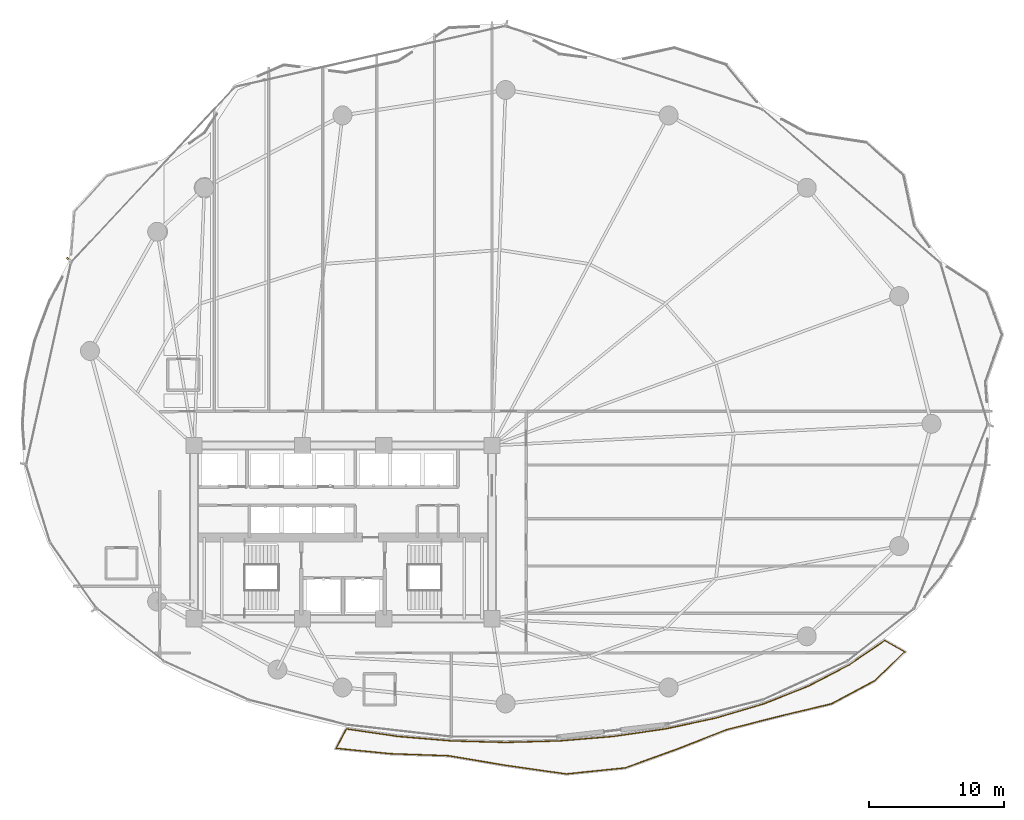
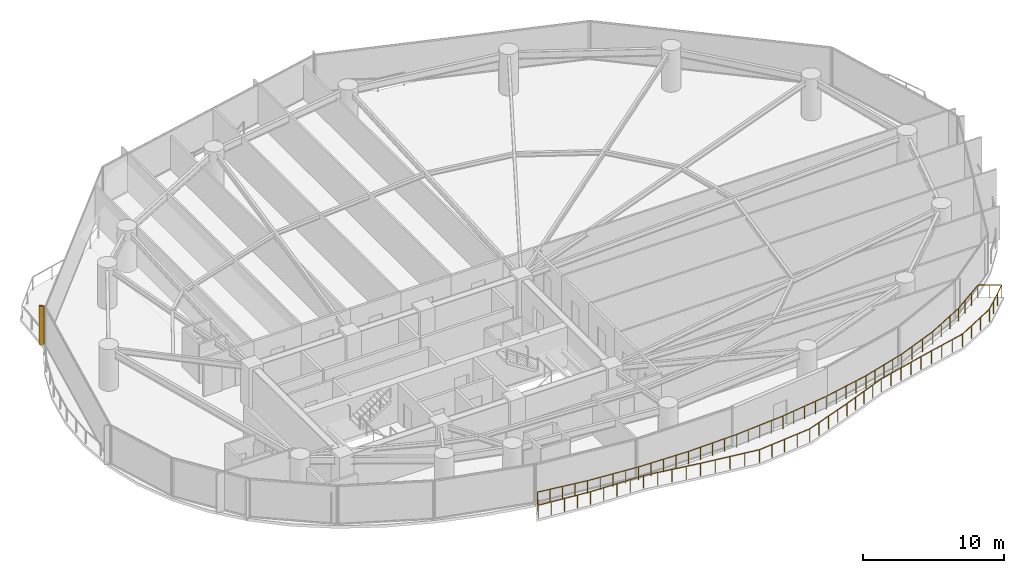
# One storey, part 31 of 33: 1 railing, 1 shading device.
"""IFC4 building model written with IfcOpenShell, lengths in metres."""

from ifc_helpers import new_model, si_unit, direction, frame, origin, origin_2d, place, context, subcontext, project, spatial, rectangle, extrude, material, type_object, element, save


model = new_model("IFC4")

# Units and contexts
model_context = context("Model", 3, precision=1e-05, world=origin(), true_north=direction((0.0, 1.0)))
body_context = subcontext(model_context, "Body", "Model", "MODEL_VIEW")
ifc_project = project(units=[si_unit("LENGTHUNIT", "METRE"), si_unit("AREAUNIT", "SQUARE_METRE"), si_unit("VOLUMEUNIT", "CUBIC_METRE"), si_unit("PLANEANGLEUNIT", "RADIAN"), si_unit("MASSUNIT", "GRAM", prefix="KILO")], contexts=[model_context])

# Site, building, storey
site_placement = place(None, origin())
site = spatial("IfcSite", under=ifc_project, at=site_placement, CompositionType="ELEMENT")
building_placement = place(site_placement, origin())
building = spatial("IfcBuilding", under=site, at=building_placement, Name="Kazevale Care Tower and Concert Hall", CompositionType="ELEMENT")
storey_placement = place(building_placement, frame((0.0, 0.0, 31.199951171875)))
storey = spatial("IfcBuildingStorey", under=building, at=storey_placement, Name="L07", CompositionType="ELEMENT", Elevation=31.199951171875)

# Railing
ifc_material_1 = material(Name="Anodised Bronze Aluminium and Laminated Glass", Category="aluminium")
railing_type = type_object("IfcRailingType", Name="Balcony and Terrace Balustrade 1120", PredefinedType="BALUSTRADE", material=ifc_material_1)
railing_placement = place(storey_placement, frame((33.239990234375, 15.469970703125, 0.0)))
element("IfcRailing", 1, at=railing_placement, inside=storey, type_object=railing_type, Name="rail:L07:balcony", PredefinedType="BALUSTRADE", context=body_context, shape_type="SweptSolid", body=[
    extrude(rectangle(XDim=0.048095703125, YDim=0.048095703125, at=origin_2d()), frame((0.0, 0.0, 1.09619140625), z_axis=(0.98954153526, -0.144248223541, 0.0), x_axis=(0.144248223541, 0.98954153526, 0.0)), (0.0, 0.0, 1.0), 3.820068359375),
    extrude(rectangle(XDim=0.048095703125, YDim=0.048095703125, at=origin_2d()), frame((3.780029296875, -0.551025390625, 1.09619140625), z_axis=(0.996491809711, -0.083690341016, 0.0), x_axis=(0.083690341016, 0.996491809711, 0.0)), (0.0, 0.0, 1.0), 3.97900390625),
    extrude(rectangle(XDim=0.048095703125, YDim=0.048095703125, at=origin_2d()), frame((7.7451171875, -0.884033203125, 1.09619140625), z_axis=(0.999619139625, -0.027596660954, 0.0), x_axis=(0.027596660954, 0.999619139625, 0.0)), (0.0, 0.0, 1.0), 4.016357421875),
    extrude(rectangle(XDim=0.048095703125, YDim=0.048095703125, at=origin_2d()), frame((11.760009765625, -0.994873046875, 1.09619140625), z_axis=(0.999619139625, 0.027596660954, 0.0), x_axis=(-0.027596660954, 0.999619139625, 0.0)), (0.0, 0.0, 1.0), 4.016357421875),
    extrude(rectangle(XDim=0.048095703125, YDim=0.048095703125, at=origin_2d()), frame((15.77490234375, -0.884033203125, 1.09619140625), z_axis=(0.996491809711, 0.083690341016, 0.0), x_axis=(-0.083690341016, 0.996491809711, 0.0)), (0.0, 0.0, 1.0), 3.97900390625),
    extrude(rectangle(XDim=0.048095703125, YDim=0.048095703125, at=origin_2d()), frame((19.739990234375, -0.551025390625, 1.09619140625), z_axis=(0.989562148583, 0.144106745477, 0.0), x_axis=(-0.144106745477, 0.989562148583, 0.0)), (0.0, 0.0, 1.0), 3.90673828125),
    extrude(rectangle(XDim=0.048095703125, YDim=0.048095703125, at=origin_2d()), frame((23.60595703125, 0.011962890625, 1.09619140625), z_axis=(0.977622623243, 0.210366362622, 0.0), x_axis=(-0.210366362622, 0.977622623243, 0.0)), (0.0, 0.0, 1.0), 3.80322265625),
    extrude(rectangle(XDim=0.048095703125, YDim=0.048095703125, at=origin_2d()), frame((27.323974609375, 0.81201171875, 1.09619140625), z_axis=(0.958576059845, 0.28483668565, 0.0), x_axis=(-0.28483668565, 0.958576059845, 0.0)), (0.0, 0.0, 1.0), 3.67626953125),
    extrude(rectangle(XDim=0.048095703125, YDim=0.048095703125, at=origin_2d()), frame((30.847900390625, 1.859130859375, 1.09619140625), z_axis=(0.929364745906, 0.369162794803, 0.0), x_axis=(-0.369162794803, 0.929364745906, 0.0)), (0.0, 0.0, 1.0), 3.534912109375),
    extrude(rectangle(XDim=0.048095703125, YDim=0.048095703125, at=origin_2d()), frame((34.133056640625, 3.1640625, 1.09619140625), z_axis=(0.886249621896, 0.463207952965, 0.0), x_axis=(-0.463207952965, 0.886249621896, 0.0)), (0.0, 0.0, 1.0), 3.3916015625),
    extrude(rectangle(XDim=0.048095703125, YDim=0.048095703125, at=origin_2d()), frame((37.138916015625, 4.735107421875, 1.09619140625), z_axis=(0.825224295989, 0.564805153402, 0.0), x_axis=(-0.564805153402, 0.825224295989, 0.0)), (0.0, 0.0, 1.0), 3.17626953125),
    extrude(rectangle(XDim=0.048095703125, YDim=0.048095703125, at=origin_2d()), frame((39.760009765625, 6.529052734375, 1.09619140625), z_axis=(0.870189180508, -0.492717759094, 0.0), x_axis=(0.492717759094, 0.870189180508, 0.0)), (0.0, 0.0, 1.0), 1.692626953125),
    extrude(rectangle(XDim=0.048095703125, YDim=0.048095703125, at=origin_2d()), frame((41.23291015625, 5.695068359375, 1.09619140625), z_axis=(-0.722710221607, -0.691151166956, 0.0), x_axis=(0.691151166956, -0.722710221607, 0.0)), (0.0, 0.0, 1.0), 3.10205078125),
    extrude(rectangle(XDim=0.048095703125, YDim=0.048095703125, at=origin_2d()), frame((38.990966796875, 3.551025390625, 1.09619140625), z_axis=(-0.881847001508, -0.471535646511, 0.0), x_axis=(0.471535646511, -0.881847001508, 0.0)), (0.0, 0.0, 1.0), 3.596923828125),
    extrude(rectangle(XDim=0.048095703125, YDim=0.048095703125, at=origin_2d()), frame((35.819091796875, 1.85498046875, 1.09619140625), z_axis=(-0.972687952965, -0.232116664968, 0.0), x_axis=(0.232116664968, -0.972687952965, 0.0)), (0.0, 0.0, 1.0), 4.057861328125),
    extrude(rectangle(XDim=0.048095703125, YDim=0.048095703125, at=origin_2d()), frame((31.8720703125, 0.9130859375, 1.09619140625), z_axis=(-0.968673808328, -0.248336572134, 0.0), x_axis=(0.248336572134, -0.968673808328, 0.0)), (0.0, 0.0, 1.0), 3.938232421875),
    extrude(rectangle(XDim=0.048095703125, YDim=0.048095703125, at=origin_2d()), frame((28.05712890625, -0.06494140625, 1.09619140625), z_axis=(-0.930909303522, -0.365250419049, 0.0), x_axis=(0.365250419049, -0.930909303522, 0.0)), (0.0, 0.0, 1.0), 3.87158203125),
    extrude(rectangle(XDim=0.048095703125, YDim=0.048095703125, at=origin_2d()), frame((24.453125, -1.47900390625, 1.09619140625), z_axis=(-0.940399278042, -0.340072342094, 0.0), x_axis=(0.340072342094, -0.940399278042, 0.0)), (0.0, 0.0, 1.0), 4.10791015625),
    extrude(rectangle(XDim=0.048095703125, YDim=0.048095703125, at=origin_2d()), frame((20.590087890625, -2.8759765625, 1.09619140625), z_axis=(-0.994755732104, -0.102279193613, 0.0), x_axis=(0.102279193613, -0.994755732104, 0.0)), (0.0, 0.0, 1.0), 4.380126953125),
    extrude(rectangle(XDim=0.048095703125, YDim=0.048095703125, at=origin_2d()), frame((16.23291015625, -3.323974609375, 1.09619140625), z_axis=(-0.990053401239, 0.140692084694, 0.0), x_axis=(-0.140692084694, -0.990053401239, 0.0)), (0.0, 0.0, 1.0), 4.49951171875),
    extrude(rectangle(XDim=0.048095703125, YDim=0.048095703125, at=origin_2d()), frame((11.778076171875, -2.69091796875, 1.09619140625), z_axis=(-0.986227865849, 0.165392250795, 0.0), x_axis=(-0.165392250795, -0.986227865849, 0.0)), (0.0, 0.0, 1.0), 4.304443359375),
    extrude(rectangle(XDim=0.048095703125, YDim=0.048095703125, at=origin_2d()), frame((7.532958984375, -1.97900390625, 1.09619140625), z_axis=(-0.999405659265, 0.034472136989, 0.0), x_axis=(-0.034472136989, -0.999405659265, 0.0)), (0.0, 0.0, 1.0), 4.263427734375),
    extrude(rectangle(XDim=0.048095703125, YDim=0.048095703125, at=origin_2d()), frame((3.27197265625, -1.83203125, 1.09619140625), z_axis=(-0.99507534539, 0.099121425517, 0.0), x_axis=(-0.099121425517, -0.99507534539, 0.0)), (0.0, 0.0, 1.0), 4.046875),
    extrude(rectangle(XDim=0.048095703125, YDim=0.048095703125, at=origin_2d()), frame((-0.7548828125, -1.430908203125, 1.09619140625), z_axis=(0.466604517914, 0.884466067106, 0.0), x_axis=(-0.884466067106, 0.466604517914, 0.0)), (0.0, 0.0, 1.0), 1.617919921875),
    extrude(rectangle(XDim=0.0419921875, YDim=0.0419921875, at=origin_2d()), origin(), (0.0, 0.0, 1.0), 1.072021484375),
    extrude(rectangle(XDim=0.0419921875, YDim=0.0419921875, at=origin_2d()), frame((0.945068359375, -0.1376953125, 0.0)), (0.0, 0.0, 1.0), 1.072021484375),
    extrude(rectangle(XDim=0.0419921875, YDim=0.0419921875, at=origin_2d()), frame((1.89013671875, -0.275390625, 0.0)), (0.0, 0.0, 1.0), 1.072021484375),
    extrude(rectangle(XDim=0.0419921875, YDim=0.0419921875, at=origin_2d()), frame((2.8349609375, -0.413330078125, 0.0)), (0.0, 0.0, 1.0), 1.072021484375),
    extrude(rectangle(XDim=0.0419921875, YDim=0.0419921875, at=origin_2d()), frame((3.780029296875, -0.551025390625, 0.0)), (0.0, 0.0, 1.0), 1.072021484375),
    extrude(rectangle(XDim=0.0419921875, YDim=0.0419921875, at=origin_2d()), frame((4.771240234375, -0.63427734375, 0.0)), (0.0, 0.0, 1.0), 1.072021484375),
    extrude(rectangle(XDim=0.0419921875, YDim=0.0419921875, at=origin_2d()), frame((5.7626953125, -0.717529296875, 0.0)), (0.0, 0.0, 1.0), 1.072021484375),
    extrude(rectangle(XDim=0.0419921875, YDim=0.0419921875, at=origin_2d()), frame((6.75390625, -0.80078125, 0.0)), (0.0, 0.0, 1.0), 1.072021484375),
    extrude(rectangle(XDim=0.0419921875, YDim=0.0419921875, at=origin_2d()), frame((7.7451171875, -0.884033203125, 0.0)), (0.0, 0.0, 1.0), 1.072021484375),
    extrude(rectangle(XDim=0.0419921875, YDim=0.0419921875, at=origin_2d()), frame((8.748779296875, -0.91162109375, 0.0)), (0.0, 0.0, 1.0), 1.072021484375),
    extrude(rectangle(XDim=0.0419921875, YDim=0.0419921875, at=origin_2d()), frame((9.75244140625, -0.939453125, 0.0)), (0.0, 0.0, 1.0), 1.072021484375),
    extrude(rectangle(XDim=0.0419921875, YDim=0.0419921875, at=origin_2d()), frame((10.75634765625, -0.96728515625, 0.0)), (0.0, 0.0, 1.0), 1.072021484375),
    extrude(rectangle(XDim=0.0419921875, YDim=0.0419921875, at=origin_2d()), frame((11.760009765625, -0.994873046875, 0.0)), (0.0, 0.0, 1.0), 1.072021484375),
    extrude(rectangle(XDim=0.0419921875, YDim=0.0419921875, at=origin_2d()), frame((12.763671875, -0.96728515625, 0.0)), (0.0, 0.0, 1.0), 1.072021484375),
    extrude(rectangle(XDim=0.0419921875, YDim=0.0419921875, at=origin_2d()), frame((13.767578125, -0.939453125, 0.0)), (0.0, 0.0, 1.0), 1.072021484375),
    extrude(rectangle(XDim=0.0419921875, YDim=0.0419921875, at=origin_2d()), frame((14.771240234375, -0.91162109375, 0.0)), (0.0, 0.0, 1.0), 1.072021484375),
    extrude(rectangle(XDim=0.0419921875, YDim=0.0419921875, at=origin_2d()), frame((15.77490234375, -0.884033203125, 0.0)), (0.0, 0.0, 1.0), 1.072021484375),
    extrude(rectangle(XDim=0.0419921875, YDim=0.0419921875, at=origin_2d()), frame((16.76611328125, -0.80078125, 0.0)), (0.0, 0.0, 1.0), 1.072021484375),
    extrude(rectangle(XDim=0.0419921875, YDim=0.0419921875, at=origin_2d()), frame((17.75732421875, -0.717529296875, 0.0)), (0.0, 0.0, 1.0), 1.072021484375),
    extrude(rectangle(XDim=0.0419921875, YDim=0.0419921875, at=origin_2d()), frame((18.748779296875, -0.63427734375, 0.0)), (0.0, 0.0, 1.0), 1.072021484375),
    extrude(rectangle(XDim=0.0419921875, YDim=0.0419921875, at=origin_2d()), frame((19.739990234375, -0.551025390625, 0.0)), (0.0, 0.0, 1.0), 1.072021484375),
    extrude(rectangle(XDim=0.0419921875, YDim=0.0419921875, at=origin_2d()), frame((20.70654296875, -0.41015625, 0.0)), (0.0, 0.0, 1.0), 1.072021484375),
    extrude(rectangle(XDim=0.0419921875, YDim=0.0419921875, at=origin_2d()), frame((21.6728515625, -0.26953125, 0.0)), (0.0, 0.0, 1.0), 1.072021484375),
    extrude(rectangle(XDim=0.0419921875, YDim=0.0419921875, at=origin_2d()), frame((22.639404296875, -0.12890625, 0.0)), (0.0, 0.0, 1.0), 1.072021484375),
    extrude(rectangle(XDim=0.0419921875, YDim=0.0419921875, at=origin_2d()), frame((23.60595703125, 0.011962890625, 0.0)), (0.0, 0.0, 1.0), 1.072021484375),
    extrude(rectangle(XDim=0.0419921875, YDim=0.0419921875, at=origin_2d()), frame((24.535400390625, 0.2119140625, 0.0)), (0.0, 0.0, 1.0), 1.072021484375),
    extrude(rectangle(XDim=0.0419921875, YDim=0.0419921875, at=origin_2d()), frame((25.46484375, 0.412109375, 0.0)), (0.0, 0.0, 1.0), 1.072021484375),
    extrude(rectangle(XDim=0.0419921875, YDim=0.0419921875, at=origin_2d()), frame((26.39453125, 0.612060546875, 0.0)), (0.0, 0.0, 1.0), 1.072021484375),
    extrude(rectangle(XDim=0.0419921875, YDim=0.0419921875, at=origin_2d()), frame((27.323974609375, 0.81201171875, 0.0)), (0.0, 0.0, 1.0), 1.072021484375),
    extrude(rectangle(XDim=0.0419921875, YDim=0.0419921875, at=origin_2d()), frame((28.205078125, 1.07373046875, 0.0)), (0.0, 0.0, 1.0), 1.072021484375),
    extrude(rectangle(XDim=0.0419921875, YDim=0.0419921875, at=origin_2d()), frame((29.0859375, 1.33544921875, 0.0)), (0.0, 0.0, 1.0), 1.072021484375),
    extrude(rectangle(XDim=0.0419921875, YDim=0.0419921875, at=origin_2d()), frame((29.966796875, 1.597412109375, 0.0)), (0.0, 0.0, 1.0), 1.072021484375),
    extrude(rectangle(XDim=0.0419921875, YDim=0.0419921875, at=origin_2d()), frame((30.847900390625, 1.859130859375, 0.0)), (0.0, 0.0, 1.0), 1.072021484375),
    extrude(rectangle(XDim=0.0419921875, YDim=0.0419921875, at=origin_2d()), frame((31.94287109375, 2.294189453125, 0.0)), (0.0, 0.0, 1.0), 1.072021484375),
    extrude(rectangle(XDim=0.0419921875, YDim=0.0419921875, at=origin_2d()), frame((33.0380859375, 2.72900390625, 0.0)), (0.0, 0.0, 1.0), 1.072021484375),
    extrude(rectangle(XDim=0.0419921875, YDim=0.0419921875, at=origin_2d()), frame((34.133056640625, 3.1640625, 0.0)), (0.0, 0.0, 1.0), 1.072021484375),
    extrude(rectangle(XDim=0.0419921875, YDim=0.0419921875, at=origin_2d()), frame((35.135009765625, 3.687744140625, 0.0)), (0.0, 0.0, 1.0), 1.072021484375),
    extrude(rectangle(XDim=0.0419921875, YDim=0.0419921875, at=origin_2d()), frame((36.136962890625, 4.21142578125, 0.0)), (0.0, 0.0, 1.0), 1.072021484375),
    extrude(rectangle(XDim=0.0419921875, YDim=0.0419921875, at=origin_2d()), frame((37.138916015625, 4.735107421875, 0.0)), (0.0, 0.0, 1.0), 1.072021484375),
    extrude(rectangle(XDim=0.0419921875, YDim=0.0419921875, at=origin_2d()), frame((38.0126953125, 5.3330078125, 0.0)), (0.0, 0.0, 1.0), 1.072021484375),
    extrude(rectangle(XDim=0.0419921875, YDim=0.0419921875, at=origin_2d()), frame((38.88623046875, 5.93115234375, 0.0)), (0.0, 0.0, 1.0), 1.072021484375),
    extrude(rectangle(XDim=0.0419921875, YDim=0.0419921875, at=origin_2d()), frame((39.760009765625, 6.529052734375, 0.0)), (0.0, 0.0, 1.0), 1.072021484375),
    extrude(rectangle(XDim=0.0419921875, YDim=0.0419921875, at=origin_2d()), frame((40.49658203125, 6.112060546875, 0.0)), (0.0, 0.0, 1.0), 1.072021484375),
    extrude(rectangle(XDim=0.0419921875, YDim=0.0419921875, at=origin_2d()), frame((41.23291015625, 5.695068359375, 0.0)), (0.0, 0.0, 1.0), 1.072021484375),
    extrude(rectangle(XDim=0.0419921875, YDim=0.0419921875, at=origin_2d()), frame((40.485595703125, 4.98046875, 0.0)), (0.0, 0.0, 1.0), 1.072021484375),
    extrude(rectangle(XDim=0.0419921875, YDim=0.0419921875, at=origin_2d()), frame((39.73828125, 4.265625, 0.0)), (0.0, 0.0, 1.0), 1.072021484375),
    extrude(rectangle(XDim=0.0419921875, YDim=0.0419921875, at=origin_2d()), frame((38.990966796875, 3.551025390625, 0.0)), (0.0, 0.0, 1.0), 1.072021484375),
    extrude(rectangle(XDim=0.0419921875, YDim=0.0419921875, at=origin_2d()), frame((37.93359375, 2.985595703125, 0.0)), (0.0, 0.0, 1.0), 1.072021484375),
    extrude(rectangle(XDim=0.0419921875, YDim=0.0419921875, at=origin_2d()), frame((36.87646484375, 2.42041015625, 0.0)), (0.0, 0.0, 1.0), 1.072021484375),
    extrude(rectangle(XDim=0.0419921875, YDim=0.0419921875, at=origin_2d()), frame((35.819091796875, 1.85498046875, 0.0)), (0.0, 0.0, 1.0), 1.072021484375),
    extrude(rectangle(XDim=0.0419921875, YDim=0.0419921875, at=origin_2d()), frame((34.832275390625, 1.61962890625, 0.0)), (0.0, 0.0, 1.0), 1.072021484375),
    extrude(rectangle(XDim=0.0419921875, YDim=0.0419921875, at=origin_2d()), frame((33.845703125, 1.384033203125, 0.0)), (0.0, 0.0, 1.0), 1.072021484375),
    extrude(rectangle(XDim=0.0419921875, YDim=0.0419921875, at=origin_2d()), frame((32.85888671875, 1.1484375, 0.0)), (0.0, 0.0, 1.0), 1.072021484375),
    extrude(rectangle(XDim=0.0419921875, YDim=0.0419921875, at=origin_2d()), frame((31.8720703125, 0.9130859375, 0.0)), (0.0, 0.0, 1.0), 1.072021484375),
    extrude(rectangle(XDim=0.0419921875, YDim=0.0419921875, at=origin_2d()), frame((30.91845703125, 0.66845703125, 0.0)), (0.0, 0.0, 1.0), 1.072021484375),
    extrude(rectangle(XDim=0.0419921875, YDim=0.0419921875, at=origin_2d()), frame((29.964599609375, 0.424072265625, 0.0)), (0.0, 0.0, 1.0), 1.072021484375),
    extrude(rectangle(XDim=0.0419921875, YDim=0.0419921875, at=origin_2d()), frame((29.0107421875, 0.1796875, 0.0)), (0.0, 0.0, 1.0), 1.072021484375),
    extrude(rectangle(XDim=0.0419921875, YDim=0.0419921875, at=origin_2d()), frame((28.05712890625, -0.06494140625, 0.0)), (0.0, 0.0, 1.0), 1.072021484375),
    extrude(rectangle(XDim=0.0419921875, YDim=0.0419921875, at=origin_2d()), frame((27.15625, -0.41845703125, 0.0)), (0.0, 0.0, 1.0), 1.072021484375),
    extrude(rectangle(XDim=0.0419921875, YDim=0.0419921875, at=origin_2d()), frame((26.255126953125, -0.77197265625, 0.0)), (0.0, 0.0, 1.0), 1.072021484375),
    extrude(rectangle(XDim=0.0419921875, YDim=0.0419921875, at=origin_2d()), frame((25.35400390625, -1.12548828125, 0.0)), (0.0, 0.0, 1.0), 1.072021484375),
    extrude(rectangle(XDim=0.0419921875, YDim=0.0419921875, at=origin_2d()), frame((24.453125, -1.47900390625, 0.0)), (0.0, 0.0, 1.0), 1.072021484375),
    extrude(rectangle(XDim=0.0419921875, YDim=0.0419921875, at=origin_2d()), frame((23.4873046875, -1.828125, 0.0)), (0.0, 0.0, 1.0), 1.072021484375),
    extrude(rectangle(XDim=0.0419921875, YDim=0.0419921875, at=origin_2d()), frame((22.521484375, -2.177490234375, 0.0)), (0.0, 0.0, 1.0), 1.072021484375),
    extrude(rectangle(XDim=0.0419921875, YDim=0.0419921875, at=origin_2d()), frame((21.555908203125, -2.52685546875, 0.0)), (0.0, 0.0, 1.0), 1.072021484375),
    extrude(rectangle(XDim=0.0419921875, YDim=0.0419921875, at=origin_2d()), frame((20.590087890625, -2.8759765625, 0.0)), (0.0, 0.0, 1.0), 1.072021484375),
    extrude(rectangle(XDim=0.0419921875, YDim=0.0419921875, at=origin_2d()), frame((19.500732421875, -2.988037109375, 0.0)), (0.0, 0.0, 1.0), 1.072021484375),
    extrude(rectangle(XDim=0.0419921875, YDim=0.0419921875, at=origin_2d()), frame((18.41162109375, -3.10009765625, 0.0)), (0.0, 0.0, 1.0), 1.072021484375),
    extrude(rectangle(XDim=0.0419921875, YDim=0.0419921875, at=origin_2d()), frame((17.322265625, -3.2119140625, 0.0)), (0.0, 0.0, 1.0), 1.072021484375),
    extrude(rectangle(XDim=0.0419921875, YDim=0.0419921875, at=origin_2d()), frame((16.23291015625, -3.323974609375, 0.0)), (0.0, 0.0, 1.0), 1.072021484375),
    extrude(rectangle(XDim=0.0419921875, YDim=0.0419921875, at=origin_2d()), frame((15.119140625, -3.165771484375, 0.0)), (0.0, 0.0, 1.0), 1.072021484375),
    extrude(rectangle(XDim=0.0419921875, YDim=0.0419921875, at=origin_2d()), frame((14.00537109375, -3.00732421875, 0.0)), (0.0, 0.0, 1.0), 1.072021484375),
    extrude(rectangle(XDim=0.0419921875, YDim=0.0419921875, at=origin_2d()), frame((12.891845703125, -2.84912109375, 0.0)), (0.0, 0.0, 1.0), 1.072021484375),
    extrude(rectangle(XDim=0.0419921875, YDim=0.0419921875, at=origin_2d()), frame((11.778076171875, -2.69091796875, 0.0)), (0.0, 0.0, 1.0), 1.072021484375),
    extrude(rectangle(XDim=0.0419921875, YDim=0.0419921875, at=origin_2d()), frame((10.716796875, -2.512939453125, 0.0)), (0.0, 0.0, 1.0), 1.072021484375),
    extrude(rectangle(XDim=0.0419921875, YDim=0.0419921875, at=origin_2d()), frame((9.655517578125, -2.3349609375, 0.0)), (0.0, 0.0, 1.0), 1.072021484375),
    extrude(rectangle(XDim=0.0419921875, YDim=0.0419921875, at=origin_2d()), frame((8.59423828125, -2.156982421875, 0.0)), (0.0, 0.0, 1.0), 1.072021484375),
    extrude(rectangle(XDim=0.0419921875, YDim=0.0419921875, at=origin_2d()), frame((7.532958984375, -1.97900390625, 0.0)), (0.0, 0.0, 1.0), 1.072021484375),
    extrude(rectangle(XDim=0.0419921875, YDim=0.0419921875, at=origin_2d()), frame((6.4677734375, -1.9423828125, 0.0)), (0.0, 0.0, 1.0), 1.072021484375),
    extrude(rectangle(XDim=0.0419921875, YDim=0.0419921875, at=origin_2d()), frame((5.40234375, -1.905517578125, 0.0)), (0.0, 0.0, 1.0), 1.072021484375),
    extrude(rectangle(XDim=0.0419921875, YDim=0.0419921875, at=origin_2d()), frame((4.337158203125, -1.86865234375, 0.0)), (0.0, 0.0, 1.0), 1.072021484375),
    extrude(rectangle(XDim=0.0419921875, YDim=0.0419921875, at=origin_2d()), frame((3.27197265625, -1.83203125, 0.0)), (0.0, 0.0, 1.0), 1.072021484375),
    extrude(rectangle(XDim=0.0419921875, YDim=0.0419921875, at=origin_2d()), frame((2.26513671875, -1.731689453125, 0.0)), (0.0, 0.0, 1.0), 1.072021484375),
    extrude(rectangle(XDim=0.0419921875, YDim=0.0419921875, at=origin_2d()), frame((1.258544921875, -1.63134765625, 0.0)), (0.0, 0.0, 1.0), 1.072021484375),
    extrude(rectangle(XDim=0.0419921875, YDim=0.0419921875, at=origin_2d()), frame((0.251953125, -1.53125, 0.0)), (0.0, 0.0, 1.0), 1.072021484375),
    extrude(rectangle(XDim=0.0419921875, YDim=0.0419921875, at=origin_2d()), frame((-0.7548828125, -1.430908203125, 0.0)), (0.0, 0.0, 1.0), 1.072021484375),
    extrude(rectangle(XDim=0.0419921875, YDim=0.0419921875, at=origin_2d()), frame((-0.37744140625, -0.71533203125, 0.0)), (0.0, 0.0, 1.0), 1.072021484375),
])

# Shading device
ifc_material_2 = material(Name="Honed Ochre Limestone", Category="masonry")
shading_device_type = type_object("IfcShadingDeviceType", Name="Vertical Honed Limestone Fin FIN-01", PredefinedType="USERDEFINED", material=ifc_material_2)
shading_device_placement = place(storey_placement, frame((12.747802734375, 50.140625, 0.0), z_axis=(0.0, 0.0, 1.0), x_axis=(-0.730400739673, 0.683018857343, 0.0)))
element("IfcShadingDevice", 2, at=shading_device_placement, inside=storey, type_object=shading_device_type, Name="cw:L07:f14:fin", ObjectType="FIN", PredefinedType="USERDEFINED", context=body_context, shape_type="SweptSolid", body=[
    extrude(rectangle(XDim=0.3798828125, YDim=0.1201171875, at=origin_2d()), origin(), (0.0, 0.0, 1.0), 3.360107421875),
])

save(model, "model.ifc")
